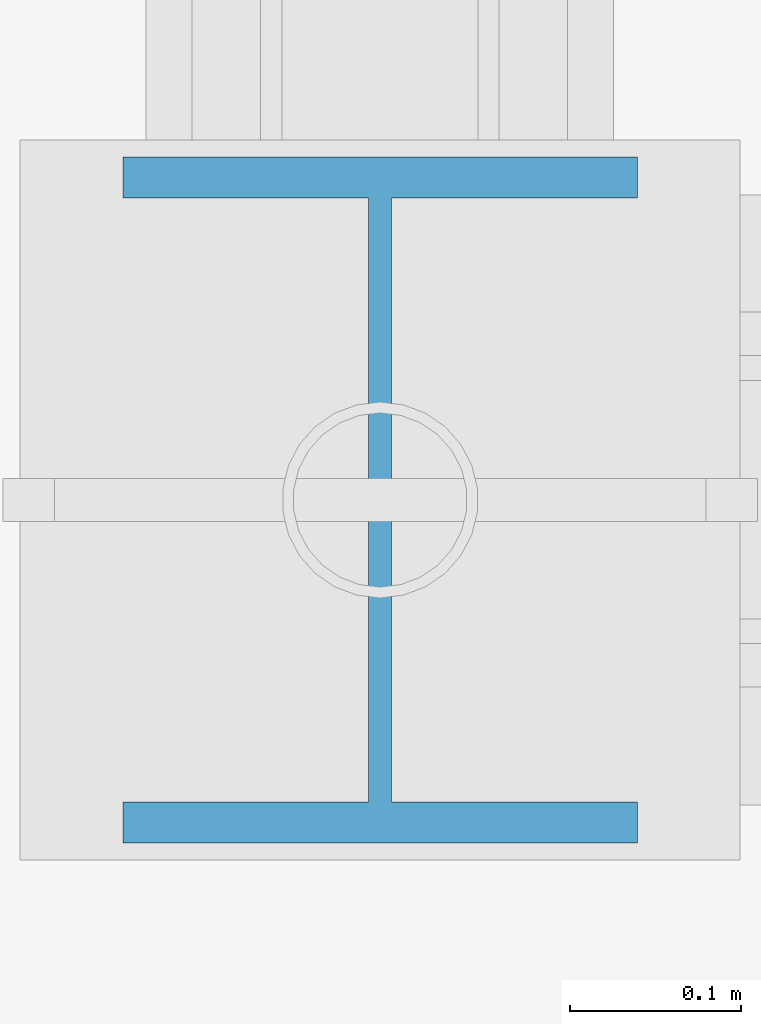
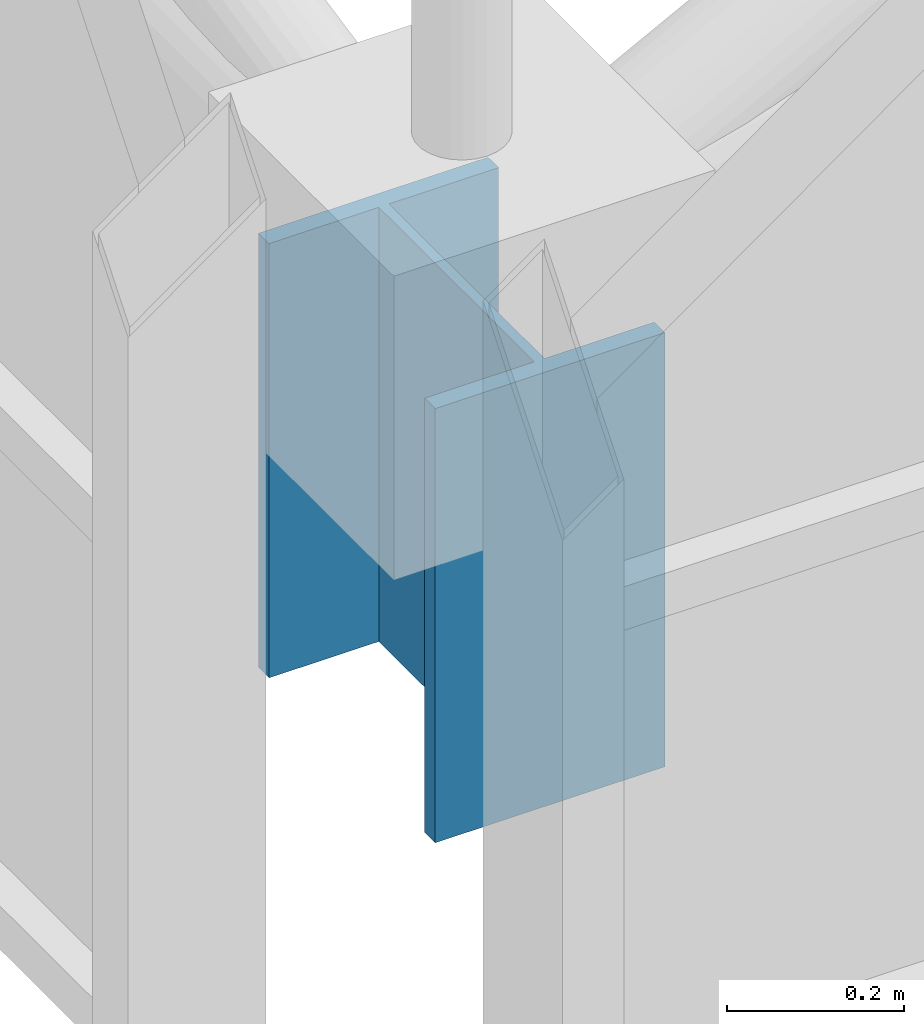
# One storey, part 11 of 144: 1 column.
"""IFC4 building model written with IfcOpenShell, lengths in metres."""

from ifc_helpers import new_model, si_unit, direction, frame, origin, origin_2d, place, context, subcontext, project, spatial, i_section, extrude, material, material_profile, profile_set, type_object, element, save


model = new_model("IFC4")

# Units and contexts
model_context = context("Model", 3, precision=1e-05, world=origin(), true_north=direction((0.0, 1.0)))
body_context = subcontext(model_context, "Body", "Model", "MODEL_VIEW")
ifc_project = project(units=[si_unit("LENGTHUNIT", "METRE"), si_unit("AREAUNIT", "SQUARE_METRE"), si_unit("VOLUMEUNIT", "CUBIC_METRE"), si_unit("PLANEANGLEUNIT", "RADIAN"), si_unit("MASSUNIT", "GRAM", prefix="KILO")], contexts=[model_context])

# Site, building, storey
site_placement = place(None, origin())
site = spatial("IfcSite", under=ifc_project, at=site_placement, CompositionType="ELEMENT")
building_placement = place(site_placement, origin())
building = spatial("IfcBuilding", under=site, at=building_placement, Name="Zayran Congress Hotel", CompositionType="ELEMENT")
storey_placement = place(building_placement, frame((0.0, 0.0, 19.199951171875)))
storey = spatial("IfcBuildingStorey", under=building, at=storey_placement, Name="L04", CompositionType="ELEMENT", Elevation=19.199951171875)

# Column
ifc_material = material(Name="Steel S355", Category="steel")
ifc_material_profile = material_profile(ifc_material, i_section(OverallWidth=0.300048828125, OverallDepth=0.39990234375, WebThickness=0.013427734375, FlangeThickness=0.02392578125, at=origin_2d()), Name="HEB 400")
ifc_profile_set = profile_set([ifc_material_profile], Name="Steel S355")
column_type = type_object("IfcColumnType", Name="TP-CL-07", PredefinedType="COLUMN", material=ifc_profile_set)
column_placement = place(storey_placement, frame((9.0, 68.199951171875, 0.0), z_axis=(0.0, 0.0, 1.0), x_axis=(1.0, 0.0, 0.0)))
element("IfcColumn", 1, at=column_placement, inside=storey, type_object=column_type, Name="COL-V1-GAB-1402", PredefinedType="COLUMN", context=body_context, shape_type="SweptSolid", body=[
    extrude(i_section(OverallWidth=0.300048828125, OverallDepth=0.39990234375, WebThickness=0.013427734375, FlangeThickness=0.02392578125, at=origin_2d()), origin(), (0.0, 0.0, 1.0), 0.60009765625),
])

save(model, "model.ifc")
